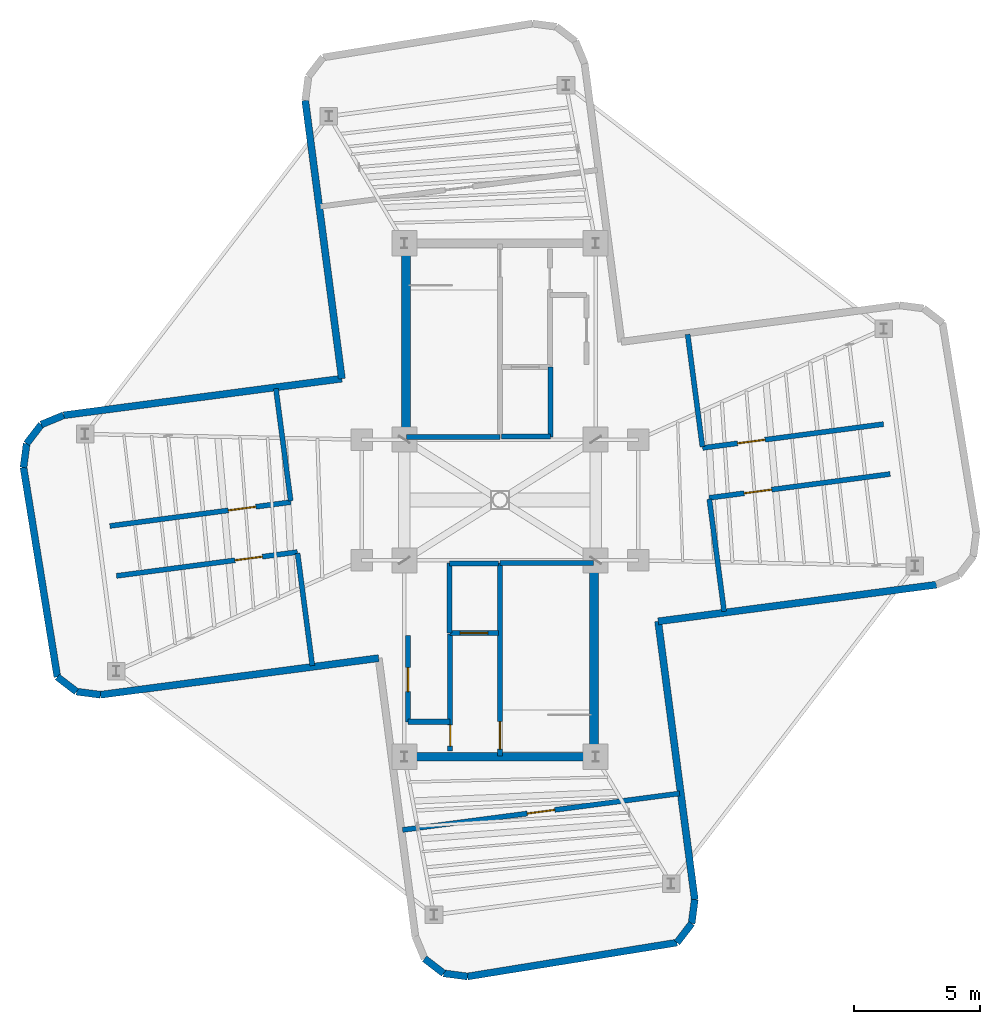
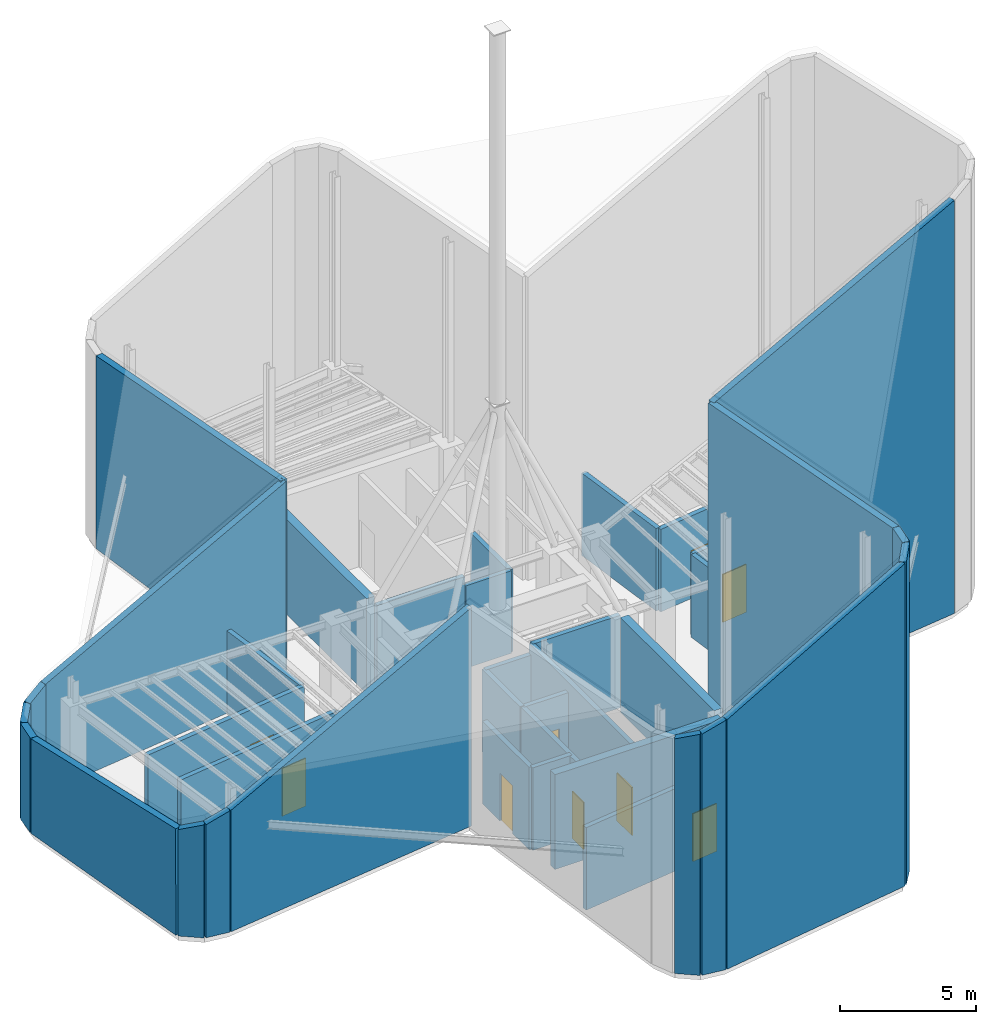
# One storey, part 6 of 8: 39 walls, 9 doors, 9 openings.
"""IFC4 building model written with IfcOpenShell, lengths in metres."""

from ifc_helpers import new_model, si_unit, direction, frame, frame_2d, origin, origin_2d, place, context, subcontext, project, spatial, polyline, rectangle, outline, extrude, source, transform, mapped, material, layer, layer_set, type_object, element, fill, save


model = new_model("IFC4")

# Units and contexts
model_context = context("Model", 3, precision=1e-05, world=origin(), true_north=direction((0.0, 1.0)))
body_context = subcontext(model_context, "Body", "Model", "MODEL_VIEW")
ifc_project = project(units=[si_unit("LENGTHUNIT", "METRE"), si_unit("AREAUNIT", "SQUARE_METRE"), si_unit("VOLUMEUNIT", "CUBIC_METRE"), si_unit("PLANEANGLEUNIT", "RADIAN"), si_unit("MASSUNIT", "GRAM", prefix="KILO")], contexts=[model_context])

# Site, building, storey
site_placement = place(None, origin())
site = spatial("IfcSite", under=ifc_project, at=site_placement, CompositionType="ELEMENT")
building_placement = place(site_placement, origin())
building = spatial("IfcBuilding", under=site, at=building_placement, Name="Sahyath Konkavel Grand Hotel", CompositionType="ELEMENT")
storey_placement = place(building_placement, frame((0.0, 0.0, 300.300048828125)))
storey = spatial("IfcBuildingStorey", under=building, at=storey_placement, Name="L83", CompositionType="ELEMENT", Elevation=300.300048828125)

# Walls
ifc_material_1 = material(Name="Concrete C40/50", Category="concrete")
ifc_layer_1 = layer(ifc_material_1, 0.35009765625)
ifc_layer_set_1 = layer_set([ifc_layer_1], Name="Concrete C40/50")
wall_type_1 = type_object("IfcWallType", Name="CWALL-350", PredefinedType="SHEAR", material=ifc_layer_set_1)
wall_1_placement = place(storey_placement, frame((-3.739990234375, 2.85009765625, 0.0), z_axis=(0.0, 0.0, 1.0), x_axis=(0.0, 1.0, 0.0)))
element("IfcWall", 1, at=wall_1_placement, inside=storey, type_object=wall_type_1, Name="L83 North Core Shear Wall W", PredefinedType="SHEAR", context=body_context, shape_type="SweptSolid", body=[
    extrude(rectangle(XDim=6.89990234375, YDim=0.35009765625, at=frame_2d((3.449951171875, 0.0))), origin(), (0.0, 0.0, 1.0), 4.25),
])
wall_2_placement = place(storey_placement, frame((-3.550048828125, -10.199951171875, 0.0), z_axis=(0.0, 0.0, 1.0), x_axis=(1.0, 0.0, 0.0)))
element("IfcWall", 2, at=wall_2_placement, inside=storey, type_object=wall_type_1, Name="L83 South Core Shear Wall S", PredefinedType="SHEAR", context=body_context, shape_type="SweptSolid", body=[
    extrude(rectangle(XDim=7.10009765625, YDim=0.35009765625, at=frame_2d((3.550048828125, 0.0))), origin(), (0.0, 0.0, 1.0), 4.25),
])
wall_3_placement = place(storey_placement, frame((3.739990234375, -9.75, 0.0), z_axis=(0.0, 0.0, 1.0), x_axis=(0.0, 1.0, 0.0)))
element("IfcWall", 3, at=wall_3_placement, inside=storey, type_object=wall_type_1, Name="L83 South Core Shear Wall E", PredefinedType="SHEAR", context=body_context, shape_type="SweptSolid", body=[
    extrude(rectangle(XDim=6.89990234375, YDim=0.35009765625, at=frame_2d((3.449951171875, 0.0))), origin(), (0.0, 0.0, 1.0), 4.25),
])
ifc_layer_2 = layer(ifc_material_1, 0.199951171875)
ifc_layer_set_2 = layer_set([ifc_layer_2], Name="Concrete C40/50")
wall_type_2 = type_object("IfcWallType", Name="WLL-CORE-200", PredefinedType="SOLIDWALL", material=ifc_layer_set_2)
wall_4_placement = place(storey_placement, frame((-3.719970703125, 2.5, 0.0), z_axis=(0.0, 0.0, 1.0), x_axis=(1.0, 0.0, 0.0)))
element("IfcWall", 4, at=wall_4_placement, inside=storey, type_object=wall_type_2, Name="L83 Stair ST-1 Shaft Wall S", PredefinedType="SOLIDWALL", context=body_context, shape_type="SweptSolid", body=[
    extrude(rectangle(XDim=3.719970703125, YDim=0.199951171875, at=frame_2d((1.85986328125, 0.0))), origin(), (0.0, 0.0, 1.0), 4.14990234375),
])

# Wall, opening, door
wall_5_placement = place(storey_placement, frame((0.0, -10.179931640625, 0.0), z_axis=(0.0, 0.0, 1.0), x_axis=(0.0, 1.0, 0.0)))
wall_5 = element("IfcWall", 5, at=wall_5_placement, inside=storey, type_object=wall_type_2, Name="L83 Stair ST-2 Shaft Wall W", PredefinedType="SOLIDWALL", context=body_context, shape_type="SweptSolid", body=[
    extrude(rectangle(XDim=7.679931640625, YDim=0.199951171875, at=frame_2d((3.83984375, 0.0))), origin(), (0.0, 0.0, 1.0), 4.14990234375),
])
opening_1_placement = place(wall_5_placement, frame((0.280029296875, 0.0, 0.0)))
opening_1 = element("IfcOpeningElement", 6, at=opening_1_placement, cuts=wall_5, Name="Opening D-F12B", PredefinedType="OPENING", context=body_context, shape_type="SweptSolid", body=[
    extrude(rectangle(XDim=1.10009765625, YDim=2.14990234375, at=frame_2d((0.550048828125, 1.074951171875))), frame((0.0, 0.10986328125, 0.0), z_axis=(0.0, -1.0, 0.0), x_axis=(1.0, 0.0, 0.0)), (0.0, 0.0, 1.0), 0.219970703125),
])
ifc_material_2 = material(Name="Steel E350 Smokeproof Fire Door", Category="steel")
door_type_1 = type_object("IfcDoorType", Name="DR-FD120-1100", OperationType="NOTDEFINED", PredefinedType="DOOR", material=ifc_material_2)
shared_shape_1 = source(origin(), body_context, "Body", "SweptSolid", [
    extrude(rectangle(XDim=1.10009765625, YDim=0.050048828125, at=origin_2d()), origin(), (0.0, 0.0, 1.0), 2.14990234375),
])
door_1_placement = place(opening_1_placement, frame((0.550048828125, 0.0, 0.0)))
door_1 = element("IfcDoor", 7, at=door_1_placement, inside=storey, type_object=door_type_1, Name="L83 Stair ST-2 Fire Door", OperationType="SINGLE_SWING_RIGHT", OverallHeight=2.14990234375, OverallWidth=1.10009765625, PredefinedType="DOOR", context=body_context, shape_type="MappedRepresentation", body=[
    mapped(shared_shape_1, transform((0.0, 0.0, 0.0), scale=1.0)),
])
fill(opening_1, door_1)

# Wall
wall_6_placement = place(storey_placement, frame((0.0, -2.5, 0.0), z_axis=(0.0, 0.0, 1.0), x_axis=(1.0, 0.0, 0.0)))
element("IfcWall", 8, at=wall_6_placement, inside=storey, type_object=wall_type_2, Name="L83 Stair ST-2 Shaft Wall N", PredefinedType="SOLIDWALL", context=body_context, shape_type="SweptSolid", body=[
    extrude(rectangle(XDim=3.719970703125, YDim=0.199951171875, at=frame_2d((1.85986328125, 0.0))), origin(), (0.0, 0.0, 1.0), 4.14990234375),
])

# Wall, opening, door
wall_7_placement = place(storey_placement, frame((-1.97998046875, -9.97998046875, 0.0), z_axis=(0.0, 0.0, 1.0), x_axis=(0.0, 1.0, 0.0)))
wall_7 = element("IfcWall", 9, at=wall_7_placement, inside=storey, type_object=wall_type_2, Name="L83 South Firefighting Lobby Wall W", PredefinedType="SOLIDWALL", context=body_context, shape_type="SweptSolid", body=[
    extrude(rectangle(XDim=4.659912109375, YDim=0.199951171875, at=frame_2d((2.330078125, 0.0))), origin(), (0.0, 0.0, 1.0), 3.699951171875),
])
opening_2_placement = place(wall_7_placement, frame((0.199951171875, 0.0, 0.0)))
opening_2 = element("IfcOpeningElement", 10, at=opening_2_placement, cuts=wall_7, Name="Opening D-F12D", PredefinedType="OPENING", context=body_context, shape_type="SweptSolid", body=[
    extrude(rectangle(XDim=0.85009765625, YDim=2.10009765625, at=frame_2d((0.425048828125, 1.050048828125))), frame((0.0, 0.10986328125, 0.0), z_axis=(0.0, -1.0, 0.0), x_axis=(1.0, 0.0, 0.0)), (0.0, 0.0, 1.0), 0.219970703125),
])
ifc_material_3 = material(Name="Steel E350 Core Fire Door", Category="steel")
door_type_2 = type_object("IfcDoorType", Name="DR-FD120-850", OperationType="NOTDEFINED", PredefinedType="DOOR", material=ifc_material_3)
shared_shape_2 = source(origin(), body_context, "Body", "SweptSolid", [
    extrude(rectangle(XDim=0.85009765625, YDim=0.050048828125, at=origin_2d()), origin(), (0.0, 0.0, 1.0), 2.10009765625),
])
door_2_placement = place(opening_2_placement, frame((0.425048828125, 0.0, 0.0)))
door_2 = element("IfcDoor", 11, at=door_2_placement, inside=storey, type_object=door_type_2, Name="L83 South Firefighting Lobby Door", OperationType="SINGLE_SWING_RIGHT", OverallHeight=2.10009765625, OverallWidth=0.85009765625, PredefinedType="DOOR", context=body_context, shape_type="MappedRepresentation", body=[
    mapped(shared_shape_2, transform((0.0, 0.0, 0.0), scale=1.0)),
])
fill(opening_2, door_2)

# Walls
wall_8_placement = place(storey_placement, frame((2.0, 2.5, 0.0), z_axis=(0.0, 0.0, 1.0), x_axis=(0.0, 1.0, 0.0)))
element("IfcWall", 12, at=wall_8_placement, inside=storey, type_object=wall_type_2, Name="L83 Partition SH-FFL1-E", PredefinedType="SOLIDWALL", context=body_context, shape_type="SweptSolid", body=[
    extrude(rectangle(XDim=2.780029296875, YDim=0.199951171875, at=frame_2d((1.39013671875, 0.0))), origin(), (0.0, 0.0, 1.0), 3.699951171875),
])
wall_9_placement = place(storey_placement, frame((0.050048828125, 2.52001953125, 0.0), z_axis=(0.0, 0.0, 1.0), x_axis=(1.0, 0.0, 0.0)))
element("IfcWall", 13, at=wall_9_placement, inside=storey, type_object=wall_type_2, Name="L83 Partition SH-FFL1-S", PredefinedType="SOLIDWALL", context=body_context, shape_type="SweptSolid", body=[
    extrude(rectangle(XDim=1.949951171875, YDim=0.199951171875, at=frame_2d((0.97509765625, 0.0))), origin(), (0.0, 0.0, 1.0), 3.699951171875),
])
wall_10_placement = place(storey_placement, frame((-2.0, -5.280029296875, 0.0), z_axis=(0.0, 0.0, 1.0), x_axis=(0.0, 1.0, 0.0)))
element("IfcWall", 14, at=wall_10_placement, inside=storey, type_object=wall_type_2, Name="L83 Partition SH-FFL2-W", PredefinedType="SOLIDWALL", context=body_context, shape_type="SweptSolid", body=[
    extrude(rectangle(XDim=2.780029296875, YDim=0.199951171875, at=frame_2d((1.39013671875, 0.0))), origin(), (0.0, 0.0, 1.0), 3.699951171875),
])
wall_11_placement = place(storey_placement, frame((-2.0, -2.52001953125, 0.0), z_axis=(0.0, 0.0, 1.0), x_axis=(1.0, 0.0, 0.0)))
element("IfcWall", 15, at=wall_11_placement, inside=storey, type_object=wall_type_2, Name="L83 Partition SH-FFL2-N", PredefinedType="SOLIDWALL", context=body_context, shape_type="SweptSolid", body=[
    extrude(rectangle(XDim=1.949951171875, YDim=0.199951171875, at=frame_2d((0.97509765625, 0.0))), origin(), (0.0, 0.0, 1.0), 3.699951171875),
])

# Wall, opening, door
wall_12_placement = place(storey_placement, frame((-1.97998046875, -5.280029296875, 0.0), z_axis=(0.0, 0.0, 1.0), x_axis=(1.0, 0.0, 0.0)))
wall_12 = element("IfcWall", 16, at=wall_12_placement, inside=storey, type_object=wall_type_2, Name="L83 Partition SH-FFL2-S", PredefinedType="SOLIDWALL", context=body_context, shape_type="SweptSolid", body=[
    extrude(rectangle(XDim=1.929931640625, YDim=0.199951171875, at=frame_2d((0.96484375, 0.0))), origin(), (0.0, 0.0, 1.0), 3.699951171875),
])
opening_3_placement = place(wall_12_placement, frame((0.39990234375, 0.0, 0.0)))
opening_3 = element("IfcOpeningElement", 17, at=opening_3_placement, cuts=wall_12, Name="Opening LD-11", PredefinedType="OPENING", context=body_context, shape_type="SweptSolid", body=[
    extrude(rectangle(XDim=1.10009765625, YDim=2.199951171875, at=frame_2d((0.550048828125, 1.10009765625))), frame((0.0, 0.10986328125, 0.0), z_axis=(0.0, -1.0, 0.0), x_axis=(1.0, 0.0, 0.0)), (0.0, 0.0, 1.0), 0.219970703125),
])
ifc_material_4 = material(Name="Bronze Lift Landing Door 1100")
door_type_3 = type_object("IfcDoorType", Name="DR-LIFT-1100", OperationType="DOUBLE_DOOR_SLIDING", PredefinedType="DOOR", material=ifc_material_4)
shared_shape_3 = source(origin(), body_context, "Body", "SweptSolid", [
    extrude(rectangle(XDim=1.10009765625, YDim=0.050048828125, at=origin_2d()), origin(), (0.0, 0.0, 1.0), 2.199951171875),
])
door_3_placement = place(opening_3_placement, frame((0.550048828125, 0.0, 0.0)))
door_3 = element("IfcDoor", 18, at=door_3_placement, inside=storey, type_object=door_type_3, Name="L83 Lift FFL-2 Landing Door", OperationType="DOUBLE_DOOR_SLIDING", OverallHeight=2.199951171875, OverallWidth=1.10009765625, PredefinedType="DOOR", context=body_context, shape_type="MappedRepresentation", body=[
    mapped(shared_shape_3, transform((0.0, 0.0, 0.0), scale=1.0)),
])
fill(opening_3, door_3)

wall_13_placement = place(storey_placement, frame((-3.64990234375, -8.81005859375, 0.0), z_axis=(0.0, 0.0, 1.0), x_axis=(0.0, 1.0, 0.0)))
wall_13 = element("IfcWall", 19, at=wall_13_placement, inside=storey, type_object=wall_type_2, Name="L83 Reclaimed South Core Wall W", PredefinedType="SOLIDWALL", context=body_context, shape_type="SweptSolid", body=[
    extrude(rectangle(XDim=3.43017578125, YDim=0.199951171875, at=frame_2d((1.715087890625, 0.0))), origin(), (0.0, 0.0, 1.0), 3.699951171875),
])
opening_4_placement = place(wall_13_placement, frame((1.199951171875, 0.0, 0.0)))
opening_4 = element("IfcOpeningElement", 20, at=opening_4_placement, cuts=wall_13, Name="Opening D-AC95", PredefinedType="OPENING", context=body_context, shape_type="SweptSolid", body=[
    extrude(rectangle(XDim=0.949951171875, YDim=2.14990234375, at=frame_2d((0.47509765625, 1.074951171875))), frame((0.0, 0.10986328125, 0.0), z_axis=(0.0, -1.0, 0.0), x_axis=(1.0, 0.0, 0.0)), (0.0, 0.0, 1.0), 0.219970703125),
])
ifc_material_5 = material(Name="Accessible Washroom Timber Door", Category="wood")
door_type_4 = type_object("IfcDoorType", Name="DR-ACC-950", OperationType="NOTDEFINED", PredefinedType="DOOR", material=ifc_material_5)
shared_shape_4 = source(origin(), body_context, "Body", "SweptSolid", [
    extrude(rectangle(XDim=0.949951171875, YDim=0.050048828125, at=origin_2d()), origin(), (0.0, 0.0, 1.0), 2.14990234375),
])
door_4_placement = place(opening_4_placement, frame((0.47509765625, 0.0, 0.0)))
door_4 = element("IfcDoor", 21, at=door_4_placement, inside=storey, type_object=door_type_4, Name="L83 Door SC-REC1-D", OperationType="SINGLE_SWING_RIGHT", OverallHeight=2.14990234375, OverallWidth=0.949951171875, PredefinedType="DOOR", context=body_context, shape_type="MappedRepresentation", body=[
    mapped(shared_shape_4, transform((0.0, 0.0, 0.0), scale=1.0)),
])
fill(opening_4, door_4)

# Wall
wall_14_placement = place(storey_placement, frame((-3.64990234375, -8.81005859375, 0.0), z_axis=(0.0, 0.0, 1.0), x_axis=(1.0, 0.0, 0.0)))
element("IfcWall", 22, at=wall_14_placement, inside=storey, type_object=wall_type_2, Name="L83 Partition SC-REC-S", PredefinedType="SOLIDWALL", context=body_context, shape_type="SweptSolid", body=[
    extrude(rectangle(XDim=1.669921875, YDim=0.199951171875, at=frame_2d((0.8349609375, 0.0))), origin(), (0.0, 0.0, 1.0), 3.699951171875),
])

# Wall, opening, door
wall_15_placement = place(storey_placement, frame((8.048828125, 2.068359375, 0.0), z_axis=(0.0, 0.0, 1.0), x_axis=(0.991445353075, 0.130522457324, 0.0)))
wall_15 = element("IfcWall", 23, at=wall_15_placement, inside=storey, type_object=wall_type_2, Name="L83 Partition CP-E1-W", PredefinedType="SOLIDWALL", context=body_context, shape_type="SweptSolid", body=[
    extrude(rectangle(XDim=7.25, YDim=0.199951171875, at=frame_2d((3.625, 0.0))), origin(), (0.0, 0.0, 1.0), 3.699951171875),
])
opening_5_placement = place(wall_15_placement, frame((1.39990234375, 0.0, 0.0)))
opening_5 = element("IfcOpeningElement", 24, at=opening_5_placement, cuts=wall_15, Name="Opening D-F12B", PredefinedType="OPENING", context=body_context, shape_type="SweptSolid", body=[
    extrude(rectangle(XDim=1.10009765625, YDim=2.14990234375, at=frame_2d((0.550048828125, 1.074951171875))), frame((0.0, 0.10986328125, 0.0), z_axis=(0.0, -1.0, 0.0), x_axis=(1.0, 0.0, 0.0)), (0.0, 0.0, 1.0), 0.219970703125),
])
door_5_placement = place(opening_5_placement, frame((0.550048828125, 0.0, 0.0)))
door_5 = element("IfcDoor", 25, at=door_5_placement, inside=storey, type_object=door_type_1, Name="L83 Door CP-E1-D", OperationType="SINGLE_SWING_LEFT", OverallHeight=2.14990234375, OverallWidth=1.10009765625, PredefinedType="DOOR", context=body_context, shape_type="MappedRepresentation", body=[
    mapped(shared_shape_1, transform((0.0, 0.0, 0.0), scale=1.0)),
])
fill(opening_5, door_5)

# Wall
wall_16_placement = place(storey_placement, frame((8.04248046875, 2.117919921875, 0.0), z_axis=(0.0, 0.0, 1.0), x_axis=(-0.130535912089, 0.99144358168, 0.0)))
element("IfcWall", 26, at=wall_16_placement, inside=storey, type_object=wall_type_2, Name="L83 Partition CP-E1-IN", PredefinedType="SOLIDWALL", context=body_context, shape_type="SweptSolid", body=[
    extrude(rectangle(XDim=4.5, YDim=0.199951171875, at=frame_2d((2.25, 0.0))), origin(), (0.0, 0.0, 1.0), 3.699951171875),
])

# Wall, opening, door
wall_17_placement = place(storey_placement, frame((8.309814453125, 0.08544921875, 0.0), z_axis=(0.0, 0.0, 1.0), x_axis=(0.991445353075, 0.130522457324, 0.0)))
wall_17 = element("IfcWall", 27, at=wall_17_placement, inside=storey, type_object=wall_type_2, Name="L83 Partition CP-E2-W", PredefinedType="SOLIDWALL", context=body_context, shape_type="SweptSolid", body=[
    extrude(rectangle(XDim=7.25, YDim=0.199951171875, at=frame_2d((3.625, 0.0))), origin(), (0.0, 0.0, 1.0), 3.699951171875),
])
opening_6_placement = place(wall_17_placement, frame((1.39990234375, 0.0, 0.0)))
opening_6 = element("IfcOpeningElement", 28, at=opening_6_placement, cuts=wall_17, Name="Opening D-F12B", PredefinedType="OPENING", context=body_context, shape_type="SweptSolid", body=[
    extrude(rectangle(XDim=1.10009765625, YDim=2.14990234375, at=frame_2d((0.550048828125, 1.074951171875))), frame((0.0, 0.10986328125, 0.0), z_axis=(0.0, -1.0, 0.0), x_axis=(1.0, 0.0, 0.0)), (0.0, 0.0, 1.0), 0.219970703125),
])
door_6_placement = place(opening_6_placement, frame((0.550048828125, 0.0, 0.0)))
door_6 = element("IfcDoor", 29, at=door_6_placement, inside=storey, type_object=door_type_1, Name="L83 Door CP-E2-D", OperationType="SINGLE_SWING_RIGHT", OverallHeight=2.14990234375, OverallWidth=1.10009765625, PredefinedType="DOOR", context=body_context, shape_type="MappedRepresentation", body=[
    mapped(shared_shape_1, transform((0.0, 0.0, 0.0), scale=1.0)),
])
fill(opening_6, door_6)

# Wall
wall_18_placement = place(storey_placement, frame((8.90380859375, -4.42578125, 0.0), z_axis=(0.0, 0.0, 1.0), x_axis=(-0.130528890923, 0.991444506079, 0.0)))
element("IfcWall", 30, at=wall_18_placement, inside=storey, type_object=wall_type_2, Name="L83 Partition CP-E2-IN", PredefinedType="SOLIDWALL", context=body_context, shape_type="SweptSolid", body=[
    extrude(rectangle(XDim=4.500244140625, YDim=0.199951171875, at=frame_2d((2.25, 0.0))), origin(), (0.0, 0.0, 1.0), 3.699951171875),
])

# Wall, opening, door
wall_19_placement = place(storey_placement, frame((-8.048828125, -2.068359375, 0.0), z_axis=(0.0, 0.0, 1.0), x_axis=(-0.991445353075, -0.130522457324, 0.0)))
wall_19 = element("IfcWall", 31, at=wall_19_placement, inside=storey, type_object=wall_type_2, Name="L83 Partition CP-W1-W", PredefinedType="SOLIDWALL", context=body_context, shape_type="SweptSolid", body=[
    extrude(rectangle(XDim=7.25, YDim=0.199951171875, at=frame_2d((3.625, 0.0))), origin(), (0.0, 0.0, 1.0), 3.699951171875),
])
opening_7_placement = place(wall_19_placement, frame((1.39990234375, 0.0, 0.0)))
opening_7 = element("IfcOpeningElement", 32, at=opening_7_placement, cuts=wall_19, Name="Opening D-F12B", PredefinedType="OPENING", context=body_context, shape_type="SweptSolid", body=[
    extrude(rectangle(XDim=1.10009765625, YDim=2.14990234375, at=frame_2d((0.550048828125, 1.074951171875))), frame((0.0, 0.10986328125, 0.0), z_axis=(0.0, -1.0, 0.0), x_axis=(1.0, 0.0, 0.0)), (0.0, 0.0, 1.0), 0.219970703125),
])
door_7_placement = place(opening_7_placement, frame((0.550048828125, 0.0, 0.0)))
door_7 = element("IfcDoor", 33, at=door_7_placement, inside=storey, type_object=door_type_1, Name="L83 Door CP-W1-D", OperationType="SINGLE_SWING_LEFT", OverallHeight=2.14990234375, OverallWidth=1.10009765625, PredefinedType="DOOR", context=body_context, shape_type="MappedRepresentation", body=[
    mapped(shared_shape_1, transform((0.0, 0.0, 0.0), scale=1.0)),
])
fill(opening_7, door_7)

# Wall
wall_20_placement = place(storey_placement, frame((-8.04248046875, -2.117919921875, 0.0), z_axis=(0.0, 0.0, 1.0), x_axis=(0.130535912089, -0.99144358168, 0.0)))
element("IfcWall", 34, at=wall_20_placement, inside=storey, type_object=wall_type_2, Name="L83 Partition CP-W1-IN", PredefinedType="SOLIDWALL", context=body_context, shape_type="SweptSolid", body=[
    extrude(rectangle(XDim=4.5, YDim=0.199951171875, at=frame_2d((2.25, 0.0))), origin(), (0.0, 0.0, 1.0), 3.699951171875),
])

# Wall, opening, door
wall_21_placement = place(storey_placement, frame((-8.309814453125, -0.08544921875, 0.0), z_axis=(0.0, 0.0, 1.0), x_axis=(-0.991445353075, -0.130522457324, 0.0)))
wall_21 = element("IfcWall", 35, at=wall_21_placement, inside=storey, type_object=wall_type_2, Name="L83 Partition CP-W2-W", PredefinedType="SOLIDWALL", context=body_context, shape_type="SweptSolid", body=[
    extrude(rectangle(XDim=7.25, YDim=0.199951171875, at=frame_2d((3.625, 0.0))), origin(), (0.0, 0.0, 1.0), 3.699951171875),
])
opening_8_placement = place(wall_21_placement, frame((1.39990234375, 0.0, 0.0)))
opening_8 = element("IfcOpeningElement", 36, at=opening_8_placement, cuts=wall_21, Name="Opening D-F12B", PredefinedType="OPENING", context=body_context, shape_type="SweptSolid", body=[
    extrude(rectangle(XDim=1.10009765625, YDim=2.14990234375, at=frame_2d((0.550048828125, 1.074951171875))), frame((0.0, 0.10986328125, 0.0), z_axis=(0.0, -1.0, 0.0), x_axis=(1.0, 0.0, 0.0)), (0.0, 0.0, 1.0), 0.219970703125),
])
door_8_placement = place(opening_8_placement, frame((0.550048828125, 0.0, 0.0)))
door_8 = element("IfcDoor", 37, at=door_8_placement, inside=storey, type_object=door_type_1, Name="L83 Door CP-W2-D", OperationType="SINGLE_SWING_RIGHT", OverallHeight=2.14990234375, OverallWidth=1.10009765625, PredefinedType="DOOR", context=body_context, shape_type="MappedRepresentation", body=[
    mapped(shared_shape_1, transform((0.0, 0.0, 0.0), scale=1.0)),
])
fill(opening_8, door_8)

# Wall
wall_22_placement = place(storey_placement, frame((-8.90380859375, 4.42578125, 0.0), z_axis=(0.0, 0.0, 1.0), x_axis=(0.130528890923, -0.991444506079, 0.0)))
element("IfcWall", 38, at=wall_22_placement, inside=storey, type_object=wall_type_2, Name="L83 Partition CP-W2-IN", PredefinedType="SOLIDWALL", context=body_context, shape_type="SweptSolid", body=[
    extrude(rectangle(XDim=4.500244140625, YDim=0.199951171875, at=frame_2d((2.25, 0.0))), origin(), (0.0, 0.0, 1.0), 3.699951171875),
])

# Wall, opening, door
wall_23_placement = place(storey_placement, frame((-3.872314453125, -13.107666015625, 0.0), z_axis=(0.0, 0.0, 1.0), x_axis=(0.991443437127, 0.130537009991, 0.0)))
wall_23 = element("IfcWall", 39, at=wall_23_placement, inside=storey, type_object=wall_type_2, Name="L83 Partition CP-BLR-IN", PredefinedType="SOLIDWALL", context=body_context, shape_type="SweptSolid", body=[
    extrude(rectangle(XDim=11.10009765625, YDim=0.199951171875, at=frame_2d((5.550048828125, 0.0))), origin(), (0.0, 0.0, 1.0), 3.699951171875),
])
opening_9_placement = place(wall_23_placement, frame((5.0, 0.0, 0.0)))
opening_9 = element("IfcOpeningElement", 40, at=opening_9_placement, cuts=wall_23, Name="Opening D-F12B", PredefinedType="OPENING", context=body_context, shape_type="SweptSolid", body=[
    extrude(rectangle(XDim=1.10009765625, YDim=2.14990234375, at=frame_2d((0.550048828125, 1.074951171875))), frame((0.0, 0.10986328125, 0.0), z_axis=(0.0, -1.0, 0.0), x_axis=(1.0, 0.0, 0.0)), (0.0, 0.0, 1.0), 0.219970703125),
])
door_9_placement = place(opening_9_placement, frame((0.550048828125, 0.0, 0.0)))
door_9 = element("IfcDoor", 41, at=door_9_placement, inside=storey, type_object=door_type_1, Name="L83 Door CP-BLR-D", OperationType="SINGLE_SWING_RIGHT", OverallHeight=2.14990234375, OverallWidth=1.10009765625, PredefinedType="DOOR", context=body_context, shape_type="MappedRepresentation", body=[
    mapped(shared_shape_1, transform((0.0, 0.0, 0.0), scale=1.0)),
])
fill(opening_9, door_9)

# Walls
ifc_material_6 = material(Name="Warm Buff Sandstone Insulated Concrete C40/50", Category="masonry")
ifc_layer_3 = layer(ifc_material_6, 0.280029296875)
ifc_layer_set_3 = layer_set([ifc_layer_3], Name="Warm Buff Sandstone Insulated Concrete C40/50")
wall_type_3 = type_object("IfcWallType", Name="WLL-CROWN-CLAD", PredefinedType="SOLIDWALL", material=ifc_layer_set_3)
wall_24_placement = place(storey_placement, frame((6.282958984375, -4.821044921875, 0.0), z_axis=(0.0, 0.0, 1.0), x_axis=(0.991445499165, 0.130521347626, 0.0)))
element("IfcWall", 42, at=wall_24_placement, inside=storey, type_object=wall_type_3, Name="L83 Sloped Crown Sandstone Cladding Wall 0", PredefinedType="SOLIDWALL", context=body_context, shape_type="SweptSolid", body=[
    extrude(outline(polyline([(0.0, 0.0), (11.150146484375, 0.0), (11.14990234375, 18.529052734375), (0.0, 14.175048828125), (0.0, 0.0)])), frame((0.0, 0.14013671875, 0.0), z_axis=(0.0, -1.0, 0.0), x_axis=(1.0, 0.0, 0.0)), (0.0, 0.0, 1.0), 0.280029296875),
])
wall_25_placement = place(storey_placement, frame((-7.73828125, 15.875732421875, 0.0), z_axis=(0.0, 0.0, 1.0), x_axis=(0.130521347626, -0.991445499165, 0.0)))
element("IfcWall", 43, at=wall_25_placement, inside=storey, type_object=wall_type_3, Name="L83 Sloped Crown Sandstone Cladding Wall 15", PredefinedType="SOLIDWALL", context=body_context, shape_type="SweptSolid", body=[
    extrude(outline(polyline([(0.0, 0.0), (11.150146484375, 0.0), (11.150146484375, 9.224853515625), (0.0, 8.65185546875), (0.0, 0.0)])), frame((0.0, 0.14013671875, 0.0), z_axis=(0.0, -1.0, 0.0), x_axis=(1.0, 0.0, 0.0)), (0.0, 0.0, 1.0), 0.280029296875),
])
wall_26_placement = place(storey_placement, frame((-6.282958984375, 4.821044921875, 0.0), z_axis=(0.0, 0.0, 1.0), x_axis=(-0.991445499165, -0.130521347626, 0.0)))
element("IfcWall", 44, at=wall_26_placement, inside=storey, type_object=wall_type_3, Name="L83 Sloped Crown Sandstone Cladding Wall 16", PredefinedType="SOLIDWALL", context=body_context, shape_type="SweptSolid", body=[
    extrude(outline(polyline([(0.0, 0.0), (11.150146484375, 0.0), (11.14990234375, 4.870849609375), (0.0, 9.224853515625), (0.0, 0.0)])), frame((0.0, 0.14013671875, 0.0), z_axis=(0.0, -1.0, 0.0), x_axis=(1.0, 0.0, 0.0)), (0.0, 0.0, 1.0), 0.280029296875),
])
wall_27_placement = place(storey_placement, frame((-17.337646484375, 3.36572265625, 0.0), z_axis=(0.0, 0.0, 1.0), x_axis=(-0.923889442397, -0.382659506909, 0.0)))
element("IfcWall", 45, at=wall_27_placement, inside=storey, type_object=wall_type_3, Name="L83 Sloped Crown Sandstone Cladding Wall 17", PredefinedType="SOLIDWALL", context=body_context, shape_type="SweptSolid", body=[
    extrude(outline(polyline([(0.0, 0.0), (0.957763671875, 0.0), (0.957763671875, 4.52197265625), (0.0, 4.870849609375), (0.0, 0.0)])), frame((0.0, 0.14013671875, 0.0), z_axis=(0.0, -1.0, 0.0), x_axis=(1.0, 0.0, 0.0)), (0.0, 0.0, 1.0), 0.280029296875),
])
wall_28_placement = place(storey_placement, frame((-18.222412109375, 2.999267578125, 0.0), z_axis=(0.0, 0.0, 1.0), x_axis=(-0.608774010809, -0.793343685778, 0.0)))
element("IfcWall", 46, at=wall_28_placement, inside=storey, type_object=wall_type_3, Name="L83 Sloped Crown Sandstone Cladding Wall 18", PredefinedType="SOLIDWALL", context=body_context, shape_type="SweptSolid", body=[
    extrude(outline(polyline([(0.0, 0.0), (0.957763671875, 0.0), (0.95751953125, 4.2919921875), (0.0, 4.52197265625), (0.0, 0.0)])), frame((0.0, 0.14013671875, 0.0), z_axis=(0.0, -1.0, 0.0), x_axis=(1.0, 0.0, 0.0)), (0.0, 0.0, 1.0), 0.280029296875),
])
wall_29_placement = place(storey_placement, frame((-18.805419921875, 2.239501953125, 0.0), z_axis=(0.0, 0.0, 1.0), x_axis=(-0.130527053476, -0.991444747987, 0.0)))
element("IfcWall", 47, at=wall_29_placement, inside=storey, type_object=wall_type_3, Name="L83 Sloped Crown Sandstone Cladding Wall 19", PredefinedType="SOLIDWALL", context=body_context, shape_type="SweptSolid", body=[
    extrude(outline(polyline([(0.0, 0.0), (0.957763671875, 0.0), (0.957763671875, 4.242919921875), (0.0, 4.2919921875), (0.0, 0.0)])), frame((0.0, 0.14013671875, 0.0), z_axis=(0.0, -1.0, 0.0), x_axis=(1.0, 0.0, 0.0)), (0.0, 0.0, 1.0), 0.280029296875),
])
wall_30_placement = place(storey_placement, frame((-18.930419921875, 1.2900390625, 0.0), z_axis=(0.0, 0.0, 1.0), x_axis=(0.159629483961, -0.987176999251, 0.0)))
element("IfcWall", 48, at=wall_30_placement, inside=storey, type_object=wall_type_3, Name="L83 Sloped Crown Sandstone Cladding Wall 20", PredefinedType="SOLIDWALL", context=body_context, shape_type="SweptSolid", body=[
    extrude(outline(polyline([(0.0, 0.0), (8.4287109375, 0.0), (8.428466796875, 4.77294921875), (0.0, 4.242919921875), (0.0, 0.0)])), frame((0.0, 0.14013671875, 0.0), z_axis=(0.0, -1.0, 0.0), x_axis=(1.0, 0.0, 0.0)), (0.0, 0.0, 1.0), 0.280029296875),
])
wall_31_placement = place(storey_placement, frame((-17.5849609375, -7.030517578125, 0.0), z_axis=(0.0, 0.0, 1.0), x_axis=(0.793466811674, -0.60861352168, 0.0)))
element("IfcWall", 49, at=wall_31_placement, inside=storey, type_object=wall_type_3, Name="L83 Sloped Crown Sandstone Cladding Wall 21", PredefinedType="SOLIDWALL", context=body_context, shape_type="SweptSolid", body=[
    extrude(outline(polyline([(0.0, 0.0), (0.95751953125, 0.0), (0.95751953125, 5.072021484375), (0.0, 4.77294921875), (0.0, 0.0)])), frame((0.0, 0.14013671875, 0.0), z_axis=(0.0, -1.0, 0.0), x_axis=(1.0, 0.0, 0.0)), (0.0, 0.0, 1.0), 0.280029296875),
])
wall_32_placement = place(storey_placement, frame((-16.8251953125, -7.61328125, 0.0), z_axis=(0.0, 0.0, 1.0), x_axis=(0.991444747987, -0.130527053476, 0.0)))
element("IfcWall", 50, at=wall_32_placement, inside=storey, type_object=wall_type_3, Name="L83 Sloped Crown Sandstone Cladding Wall 22", PredefinedType="SOLIDWALL", context=body_context, shape_type="SweptSolid", body=[
    extrude(outline(polyline([(0.0, 0.0), (0.957763671875, 0.0), (0.95751953125, 5.446044921875), (0.0, 5.072021484375), (0.0, 0.0)])), frame((0.0, 0.14013671875, 0.0), z_axis=(0.0, -1.0, 0.0), x_axis=(1.0, 0.0, 0.0)), (0.0, 0.0, 1.0), 0.280029296875),
])
wall_33_placement = place(storey_placement, frame((-15.875732421875, -7.73828125, 0.0), z_axis=(0.0, 0.0, 1.0), x_axis=(0.991445499165, 0.130521347626, 0.0)))
element("IfcWall", 51, at=wall_33_placement, inside=storey, type_object=wall_type_3, Name="L83 Sloped Crown Sandstone Cladding Wall 23", PredefinedType="SOLIDWALL", context=body_context, shape_type="SweptSolid", body=[
    extrude(outline(polyline([(0.0, 0.0), (11.150146484375, 0.0), (11.150146484375, 9.801025390625), (0.0, 5.446044921875), (0.0, 0.0)])), frame((0.0, 0.14013671875, 0.0), z_axis=(0.0, -1.0, 0.0), x_axis=(1.0, 0.0, 0.0)), (0.0, 0.0, 1.0), 0.280029296875),
])
wall_34_placement = place(storey_placement, frame((-2.999267578125, -18.222412109375, 0.0), z_axis=(0.0, 0.0, 1.0), x_axis=(0.793343685778, -0.608774010809, 0.0)))
element("IfcWall", 52, at=wall_34_placement, inside=storey, type_object=wall_type_3, Name="L83 Sloped Crown Sandstone Cladding Wall 26", PredefinedType="SOLIDWALL", context=body_context, shape_type="SweptSolid", body=[
    extrude(outline(polyline([(0.0, 0.0), (0.957763671875, 0.0), (0.95751953125, 10.81787109375), (0.0, 10.51904296875), (0.0, 0.0)])), frame((0.0, 0.14013671875, 0.0), z_axis=(0.0, -1.0, 0.0), x_axis=(1.0, 0.0, 0.0)), (0.0, 0.0, 1.0), 0.280029296875),
])
wall_35_placement = place(storey_placement, frame((-2.239501953125, -18.805419921875, 0.0), z_axis=(0.0, 0.0, 1.0), x_axis=(0.991444747987, -0.130527053476, 0.0)))
element("IfcWall", 53, at=wall_35_placement, inside=storey, type_object=wall_type_3, Name="L83 Sloped Crown Sandstone Cladding Wall 27", PredefinedType="SOLIDWALL", context=body_context, shape_type="SweptSolid", body=[
    extrude(outline(polyline([(0.0, 0.0), (0.957763671875, 0.0), (0.957763671875, 11.19189453125), (0.0, 10.81787109375), (0.0, 0.0)])), frame((0.0, 0.14013671875, 0.0), z_axis=(0.0, -1.0, 0.0), x_axis=(1.0, 0.0, 0.0)), (0.0, 0.0, 1.0), 0.280029296875),
])
wall_36_placement = place(storey_placement, frame((-1.2900390625, -18.930419921875, 0.0), z_axis=(0.0, 0.0, 1.0), x_axis=(0.987176999251, 0.159629483961, 0.0)))
element("IfcWall", 54, at=wall_36_placement, inside=storey, type_object=wall_type_3, Name="L83 Sloped Crown Sandstone Cladding Wall 28", PredefinedType="SOLIDWALL", context=body_context, shape_type="SweptSolid", body=[
    extrude(outline(polyline([(0.0, 0.0), (8.4287109375, 0.0), (8.428466796875, 14.468994140625), (0.0, 11.19189453125), (0.0, 0.0)])), frame((0.0, 0.14013671875, 0.0), z_axis=(0.0, -1.0, 0.0), x_axis=(1.0, 0.0, 0.0)), (0.0, 0.0, 1.0), 0.280029296875),
])
wall_37_placement = place(storey_placement, frame((7.030517578125, -17.5849609375, 0.0), z_axis=(0.0, 0.0, 1.0), x_axis=(0.60861352168, 0.793466811674, 0.0)))
element("IfcWall", 55, at=wall_37_placement, inside=storey, type_object=wall_type_3, Name="L83 Sloped Crown Sandstone Cladding Wall 29", PredefinedType="SOLIDWALL", context=body_context, shape_type="SweptSolid", body=[
    extrude(outline(polyline([(0.0, 0.0), (0.95751953125, 0.0), (0.95751953125, 14.698974609375), (0.0, 14.468994140625), (0.0, 0.0)])), frame((0.0, 0.14013671875, 0.0), z_axis=(0.0, -1.0, 0.0), x_axis=(1.0, 0.0, 0.0)), (0.0, 0.0, 1.0), 0.280029296875),
])
wall_38_placement = place(storey_placement, frame((7.61328125, -16.8251953125, 0.0), z_axis=(0.0, 0.0, 1.0), x_axis=(0.130527053476, 0.991444747987, 0.0)))
element("IfcWall", 56, at=wall_38_placement, inside=storey, type_object=wall_type_3, Name="L83 Sloped Crown Sandstone Cladding Wall 30", PredefinedType="SOLIDWALL", context=body_context, shape_type="SweptSolid", body=[
    extrude(outline(polyline([(0.0, 0.0), (0.957763671875, 0.0), (0.95751953125, 14.748046875), (0.0, 14.698974609375), (0.0, 0.0)])), frame((0.0, 0.14013671875, 0.0), z_axis=(0.0, -1.0, 0.0), x_axis=(1.0, 0.0, 0.0)), (0.0, 0.0, 1.0), 0.280029296875),
])
wall_39_placement = place(storey_placement, frame((7.73828125, -15.875732421875, 0.0), z_axis=(0.0, 0.0, 1.0), x_axis=(-0.130521347626, 0.991445499165, 0.0)))
element("IfcWall", 57, at=wall_39_placement, inside=storey, type_object=wall_type_3, Name="L83 Sloped Crown Sandstone Cladding Wall 31", PredefinedType="SOLIDWALL", context=body_context, shape_type="SweptSolid", body=[
    extrude(outline(polyline([(0.0, 0.0), (11.150146484375, 0.0), (11.150146484375, 14.175048828125), (0.0, 14.748046875), (0.0, 0.0)])), frame((0.0, 0.14013671875, 0.0), z_axis=(0.0, -1.0, 0.0), x_axis=(1.0, 0.0, 0.0)), (0.0, 0.0, 1.0), 0.280029296875),
])

save(model, "model.ifc")
